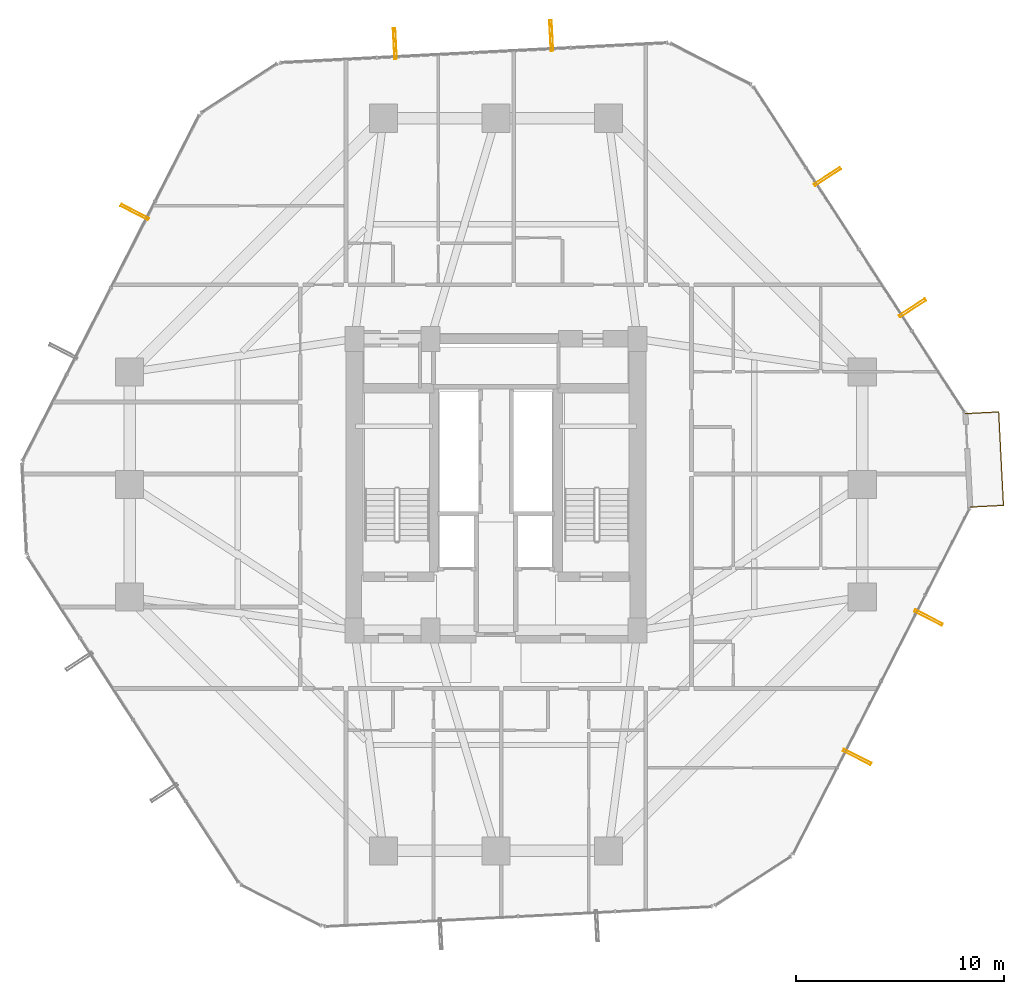
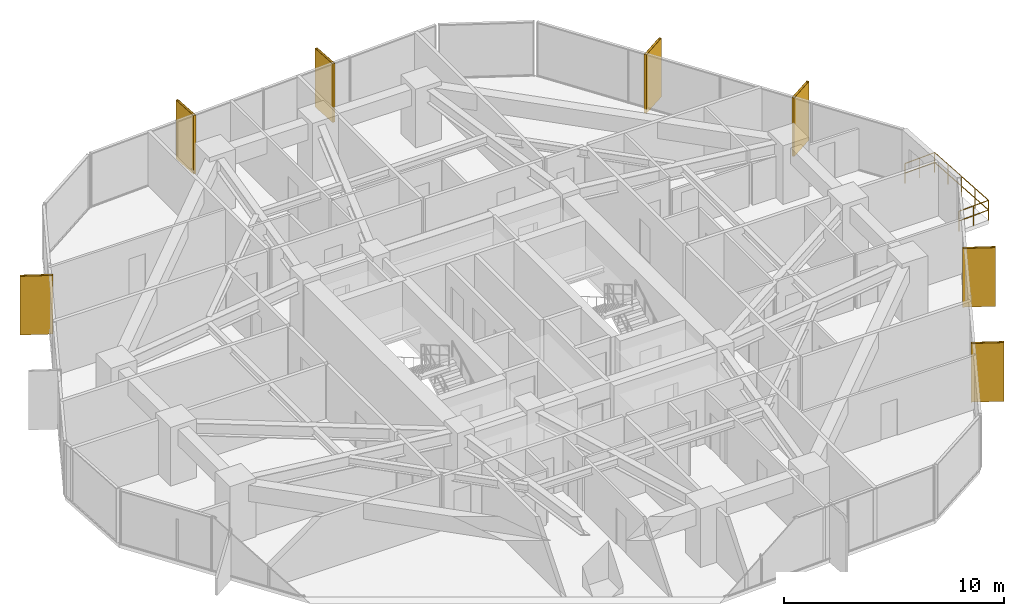
# One storey, part 37 of 37: 7 shading devices, 1 railing.
"""IFC4 building model written with IfcOpenShell, lengths in metres."""

import ifcopenshell
import ifcopenshell.guid

model = None  # the IFC model being written
_history = None  # IfcOwnerHistory: only IFC2X3 demands one
_inside = {}  # id of a spatial element -> (the spatial element, [elements in it])
_under = {}  # id of a project, library or spatial element -> (it, [spatial elements below it])
_declared = {}  # id of a project -> (the project, [libraries it declares])
_typed = {}  # id of a type object -> (the type object, [elements of that type])
_made_of = {}  # id of a material, layer set ... -> (it, [elements and type objects made of it])


def new_model(schema):
    """Start an empty IFC model of exactly this schema.

    Asked for "IFC4X3", IfcOpenShell would pick the latest addendum, in which some entities
    have other attributes; the version numbers below select the first issue.
    IFC2X3 requires an IfcOwnerHistory on every rooted entity: one is made here for all.
    """
    global model, _history
    if schema == "IFC4X3":
        model = ifcopenshell.file(schema_version=(4, 3, 0, 0))
    else:
        model = ifcopenshell.file(schema=schema)
    _inside.clear()
    _under.clear()
    _declared.clear()
    _typed.clear()
    _made_of.clear()
    _history = None
    if model.schema == "IFC2X3":
        org = make("IfcOrganization", Name="unknown")
        user = make(
            "IfcPersonAndOrganization",
            ThePerson=make("IfcPerson", FamilyName="unknown"),
            TheOrganization=org,
        )
        app = make(
            "IfcApplication",
            ApplicationDeveloper=org,
            Version="unknown",
            ApplicationFullName="unknown",
            ApplicationIdentifier="unknown",
        )
        _history = make(
            "IfcOwnerHistory",
            OwningUser=user,
            OwningApplication=app,
            ChangeAction="ADDED",
            CreationDate=0,
        )
    return model


def make(cls, **values):
    """One entity of the class cls with the attributes given. An attribute that is None is left unset."""
    return model.create_entity(
        cls, **{name: value for name, value in values.items() if value is not None}
    )


def rooted(cls, **values):
    """An entity with a GlobalId (a new one), such as an element, a storey or a relation."""
    return make(cls, GlobalId=ifcopenshell.guid.new(), OwnerHistory=_history, **values)


def si_unit(unit_type, name, prefix=None):
    """IfcSIUnit, for example si_unit("LENGTHUNIT", "METRE", prefix="MILLI")."""
    return make("IfcSIUnit", UnitType=unit_type, Prefix=prefix, Name=name)


def assignment(units):
    """IfcUnitAssignment: the units of a project."""
    return None if units is None else make("IfcUnitAssignment", Units=units)


def point(xyz):
    """IfcCartesianPoint."""
    return None if xyz is None else make("IfcCartesianPoint", Coordinates=xyz)


def direction(xyz):
    """IfcDirection."""
    return None if xyz is None else make("IfcDirection", DirectionRatios=xyz)


def frame(location, z_axis=None, x_axis=None):
    """IfcAxis2Placement3D, a coordinate frame: its origin and axes. An axis left out is left unset."""
    return make(
        "IfcAxis2Placement3D",
        Location=point(location),
        Axis=direction(z_axis),
        RefDirection=direction(x_axis),
    )


def frame_2d(location, x_axis=None):
    """IfcAxis2Placement2D, a coordinate frame in the plane: its origin and x axis."""
    return make(
        "IfcAxis2Placement2D", Location=point(location), RefDirection=direction(x_axis)
    )


def origin():
    """The frame at (0, 0, 0) with its axes left unset."""
    return frame((0.0, 0.0, 0.0))


def origin_2d():
    """The frame at (0, 0) in the plane with its x axis left unset."""
    return frame_2d((0.0, 0.0))


def place(relative_to, where):
    """IfcLocalPlacement: puts the frame where relative to a parent placement (None: the world)."""
    return make(
        "IfcLocalPlacement", PlacementRelTo=relative_to, RelativePlacement=where
    )


def context(
    kind, dimensions, precision=None, world=None, true_north=None, identifier=None
):
    """IfcGeometricRepresentationContext, for example the 3D "Model" context."""
    return make(
        "IfcGeometricRepresentationContext",
        ContextIdentifier=identifier,
        ContextType=kind,
        CoordinateSpaceDimension=dimensions,
        Precision=precision,
        WorldCoordinateSystem=world,
        TrueNorth=true_north,
    )


def subcontext(parent, identifier, kind, view, scale=None):
    """IfcGeometricRepresentationSubContext, for example "Body" below "Model"."""
    return make(
        "IfcGeometricRepresentationSubContext",
        ContextIdentifier=identifier,
        ContextType=kind,
        ParentContext=parent,
        TargetScale=scale,
        TargetView=view,
    )


def project(units=None, contexts=None):
    """IfcProject with its units and contexts."""
    return rooted(
        "IfcProject",
        Name="project",
        RepresentationContexts=contexts,
        UnitsInContext=assignment(units),
    )


def spatial(cls, under=None, at=None, **own):
    """A site, building, storey or space (cls), placed at a placement, below another one or the project."""
    s = rooted(cls, ObjectPlacement=at, **own)
    if under is not None:
        _under.setdefault(under.id(), (under, []))[1].append(s)
    return s


def profile(cls, at=None, kind="AREA", **sizes):
    """A parametric profile (cls). Its sizes go by their IFC names, for example OverallWidth=200.0."""
    return make(cls, ProfileType=kind, Position=at, **sizes)


def hollow_rectangle(**sizes):
    """IfcRectangleHollowProfileDef."""
    return profile("IfcRectangleHollowProfileDef", **sizes)


def circle(**sizes):
    """IfcCircleProfileDef."""
    return profile("IfcCircleProfileDef", **sizes)


def extrude(swept, where, along, depth):
    """IfcExtrudedAreaSolid: the profile swept, set in the frame where, extruded along a direction by depth."""
    return make(
        "IfcExtrudedAreaSolid",
        SweptArea=swept,
        Position=where,
        ExtrudedDirection=direction(along),
        Depth=depth,
    )


def shape(context_of_items, identifier, shape_type, items):
    """IfcShapeRepresentation: the items that make up one representation, for example the "Body"."""
    return make(
        "IfcShapeRepresentation",
        ContextOfItems=context_of_items,
        RepresentationIdentifier=identifier,
        RepresentationType=shape_type,
        Items=items,
    )


def material(Name=None, Category=None):
    """IfcMaterial."""
    return make("IfcMaterial", Name=Name, Category=Category)


def material_profile(
    of_material, cross_section, Name=None, Category=None, Priority=None
):
    """IfcMaterialProfile: a cross section and its material."""
    return make(
        "IfcMaterialProfile",
        Name=Name,
        Material=of_material,
        Profile=cross_section,
        Priority=Priority,
        Category=Category,
    )


def profile_set(profiles, Name=None, composite=None):
    """IfcMaterialProfileSet."""
    return make(
        "IfcMaterialProfileSet",
        Name=Name,
        MaterialProfiles=profiles,
        CompositeProfile=composite,
    )


def made_of(thing, what):
    """Note that an element or type object is made of a material, layer set ...; save() writes the relation."""
    if what is not None:
        _made_of.setdefault(what.id(), (what, []))[1].append(thing)
    return thing


def type_object(cls, material=None, **own):
    """A type object (cls), such as IfcWallType, which elements share."""
    return made_of(rooted(cls, **own), material)


def element(
    cls,
    number,
    at=None,
    inside=None,
    cuts=None,
    type_object=None,
    material=None,
    context=None,
    identifier="Body",
    shape_type=None,
    held_by="IfcProductDefinitionShape",
    body=None,
    shapes=None,
    **own,
):
    """One element of the class cls, such as IfcWall. Its Tag is "e" and its number.

    at: its placement. inside: the storey or other place that contains it. cuts: it is an
    opening in that element (IfcRelVoidsElement). A single representation is given by context,
    identifier, shape_type and body (its items); several are given by shapes. held_by: the class
    of the entity that holds the representations. save() writes the other relations.
    """
    e = rooted(cls, Tag="e%d" % number, ObjectPlacement=at, **own)
    if body is not None:
        shapes = [shape(context, identifier, shape_type, body)]
    if shapes is not None:
        e.Representation = make(held_by, Representations=shapes)
    if inside is not None:
        _inside.setdefault(inside.id(), (inside, []))[1].append(e)
    if cuts is not None:
        rooted(
            "IfcRelVoidsElement", RelatingBuildingElement=cuts, RelatedOpeningElement=e
        )
    if type_object is not None:
        _typed.setdefault(type_object.id(), (type_object, []))[1].append(e)
    return made_of(e, material)


def aggregate(whole, parts):
    """IfcRelAggregates: a whole, such as a stair, and the parts it consists of."""
    return rooted("IfcRelAggregates", RelatingObject=whole, RelatedObjects=parts)


def save(model, path):
    """Write the relations noted so far, then the file.

    IfcRelAggregates (storeys below a building ...), IfcRelContainedInSpatialStructure (elements
    in a storey), IfcRelDefinesByType, IfcRelAssociatesMaterial and IfcRelDeclares: one each for
    every whole, place, type object, material and project.
    """
    for whole, parts in _under.values():
        aggregate(whole, parts)
    for where, things in _inside.values():
        rooted(
            "IfcRelContainedInSpatialStructure",
            RelatedElements=things,
            RelatingStructure=where,
        )
    for kind, things in _typed.values():
        rooted("IfcRelDefinesByType", RelatedObjects=things, RelatingType=kind)
    for what, things in _made_of.values():
        rooted("IfcRelAssociatesMaterial", RelatedObjects=things, RelatingMaterial=what)
    for by, libraries in _declared.values():
        rooted("IfcRelDeclares", RelatingContext=by, RelatedDefinitions=libraries)
    model.write(path)


model = new_model("IFC4")

# Units and contexts
model_context = context("Model", 3, precision=1e-05, world=origin(), true_north=direction((0.0, 1.0)))
body_context = subcontext(model_context, "Body", "Model", "MODEL_VIEW")
ifc_project = project(units=[si_unit("LENGTHUNIT", "METRE"), si_unit("AREAUNIT", "SQUARE_METRE"), si_unit("VOLUMEUNIT", "CUBIC_METRE"), si_unit("PLANEANGLEUNIT", "RADIAN"), si_unit("MASSUNIT", "GRAM", prefix="KILO")], contexts=[model_context])

# Site, building, storey
site_placement = place(None, origin())
site = spatial("IfcSite", under=ifc_project, at=site_placement, CompositionType="ELEMENT")
building_placement = place(site_placement, origin())
building = spatial("IfcBuilding", under=site, at=building_placement, Name="Veraguas Prism Commons", CompositionType="ELEMENT")
storey_placement = place(building_placement, frame((0.0, 0.0, 33.800048828125)))
storey = spatial("IfcBuildingStorey", under=building, at=storey_placement, Name="L08", CompositionType="ELEMENT", Elevation=33.800048828125)

# Shading devices
ifc_material_1 = material(Name="Anodised aluminium EN AW-6063 T6", Category="aluminium")
ifc_material_profile = material_profile(ifc_material_1, hollow_rectangle(XDim=0.1201171875, YDim=1.489990234375, WallThickness=0.006103515625, at=origin_2d()), Name="FIN120X1490X6")
ifc_profile_set = profile_set([ifc_material_profile], Name="Anodised aluminium EN AW-6063 T6")
shading_device_type = type_object("IfcShadingDeviceType", Name="Deep Pale-Metal Vertical Solar Fin 120x1490", PredefinedType="USERDEFINED", material=ifc_profile_set)
for number, where, z_axis, x_axis, name in (
    (1, (44.0126953125, 32.485595703125, -0.22998046875), (0.0, 0.0, 1.0), (-0.543761947529, 0.83923950361, 0.0), "Vertical Pale-Metal Solar Fin L08-F1A"),
    (2, (39.9228515625, 38.7978515625, -0.22998046875), (0.0, 0.0, 1.0), (-0.543761947529, 0.83923950361, 0.0), "Vertical Pale-Metal Solar Fin L08-F1B"),
    (3, (26.65771484375, 45.57421875, -0.22998046875), (0.0, 0.0, 1.0), (-0.99868370375, -0.051291908366, 0.0), "Vertical Pale-Metal Solar Fin L08-F2A"),
    (4, (19.14599609375, 45.1884765625, -0.22998046875), (0.0, 0.0, 1.0), (-0.99868370375, -0.051291908366, 0.0), "Vertical Pale-Metal Solar Fin L08-F2B"),
    (5, (6.64501953125, 37.0888671875, -0.22998046875), (0.0, 0.0, 1.0), (-0.454923310491, -0.890530617987, 0.0), "Vertical Pale-Metal Solar Fin L08-F3A"),
    (6, (41.35498046875, 10.9111328125, -0.22998046875), (0.0, 0.0, 1.0), (0.454923310491, 0.890530617987, 0.0), "Vertical Pale-Metal Solar Fin L08-F6A"),
    (7, (44.77685546875, 17.609375, -0.22998046875), (0.0, 0.0, 1.0), (0.454923310491, 0.890530617987, 0.0), "Vertical Pale-Metal Solar Fin L08-F6B"),
):
    element("IfcShadingDevice", number, at=place(storey_placement, frame(where, z_axis=z_axis, x_axis=x_axis)), inside=storey, type_object=shading_device_type, Name=name, ObjectType="FIN", PredefinedType="USERDEFINED", context=body_context, shape_type="SweptSolid", body=[
        extrude(hollow_rectangle(XDim=0.1201171875, YDim=1.489990234375, WallThickness=0.006103515625, at=origin_2d()), origin(), (0.0, 0.0, 1.0), 3.25),
    ])

# Railing
ifc_material_2 = material(Name="Stainless steel AISI 316", Category="steel")
railing_type = type_object("IfcRailingType", Name="Loggia and Sky Pool Glazed Balustrade 1120", PredefinedType="BALUSTRADE", material=ifc_material_2)
railing_placement = place(storey_placement, frame((46.78662109375, 22.917236328125, 0.0)))
element("IfcRailing", 8, at=railing_placement, inside=storey, type_object=railing_type, Name="Recessed Corner Loggia L08-C1 Guard", PredefinedType="BALUSTRADE", context=body_context, shape_type="SweptSolid", body=[
    extrude(circle(Radius=0.02392578125, at=origin_2d()), frame((0.0, 0.0, 1.09619140625), z_axis=(0.998677036066, 0.051421567785, 0.0), x_axis=(-0.051421567785, 0.998677036066, 0.0)), (0.0, 0.0, 1.0), 1.60009765625),
    extrude(circle(Radius=0.02392578125, at=origin_2d()), frame((0.0, 0.0, 0.56005859375), z_axis=(0.998677036066, 0.051421567785, 0.0), x_axis=(-0.051421567785, 0.998677036066, 0.0)), (0.0, 0.0, 1.0), 1.60009765625),
    extrude(circle(Radius=0.02392578125, at=origin_2d()), frame((1.597900390625, 0.082275390625, 1.09619140625), z_axis=(-0.051325753182, 0.998681964922, 0.0), x_axis=(-0.998681964922, -0.051325753182, 0.0)), (0.0, 0.0, 1.0), 4.499755859375),
    extrude(circle(Radius=0.02392578125, at=origin_2d()), frame((1.597900390625, 0.082275390625, 0.56005859375), z_axis=(-0.051325753182, 0.998681964922, 0.0), x_axis=(-0.998681964922, -0.051325753182, 0.0)), (0.0, 0.0, 1.0), 4.499755859375),
    extrude(circle(Radius=0.02392578125, at=origin_2d()), frame((1.366943359375, 4.576171875, 1.09619140625), z_axis=(-0.998684860377, -0.051269383207, 0.0), x_axis=(0.051269383207, -0.998684860377, 0.0)), (0.0, 0.0, 1.0), 1.60009765625),
    extrude(circle(Radius=0.02392578125, at=origin_2d()), frame((1.366943359375, 4.576171875, 0.56005859375), z_axis=(-0.998684860377, -0.051269383207, 0.0), x_axis=(0.051269383207, -0.998684860377, 0.0)), (0.0, 0.0, 1.0), 1.60009765625),
    extrude(circle(Radius=0.02099609375, at=origin_2d()), origin(), (0.0, 0.0, 1.0), 1.072021484375),
    extrude(circle(Radius=0.02099609375, at=origin_2d()), frame((0.798828125, 0.041015625, 0.0)), (0.0, 0.0, 1.0), 1.072021484375),
    extrude(circle(Radius=0.02099609375, at=origin_2d()), frame((1.597900390625, 0.082275390625, 0.0)), (0.0, 0.0, 1.0), 1.072021484375),
    extrude(circle(Radius=0.02099609375, at=origin_2d()), frame((1.5400390625, 1.205810546875, 0.0)), (0.0, 0.0, 1.0), 1.072021484375),
    extrude(circle(Radius=0.02099609375, at=origin_2d()), frame((1.482421875, 2.3291015625, 0.0)), (0.0, 0.0, 1.0), 1.072021484375),
    extrude(circle(Radius=0.02099609375, at=origin_2d()), frame((1.4248046875, 3.45263671875, 0.0)), (0.0, 0.0, 1.0), 1.072021484375),
    extrude(circle(Radius=0.02099609375, at=origin_2d()), frame((1.366943359375, 4.576171875, 0.0)), (0.0, 0.0, 1.0), 1.072021484375),
    extrude(circle(Radius=0.02099609375, at=origin_2d()), frame((0.56787109375, 4.53515625, 0.0)), (0.0, 0.0, 1.0), 1.072021484375),
    extrude(circle(Radius=0.02099609375, at=origin_2d()), frame((-0.23095703125, 4.494140625, 0.0)), (0.0, 0.0, 1.0), 1.072021484375),
])

save(model, "model.ifc")
